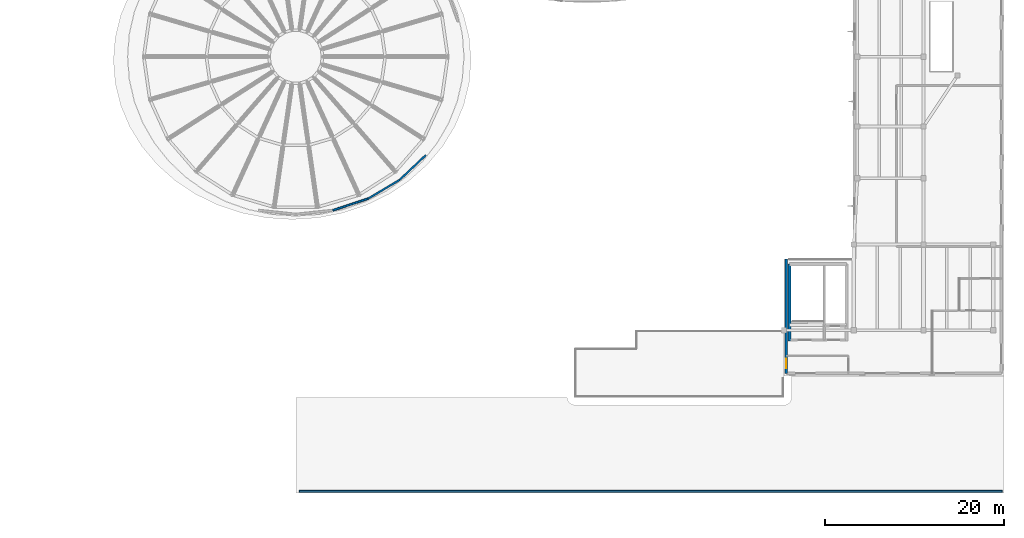
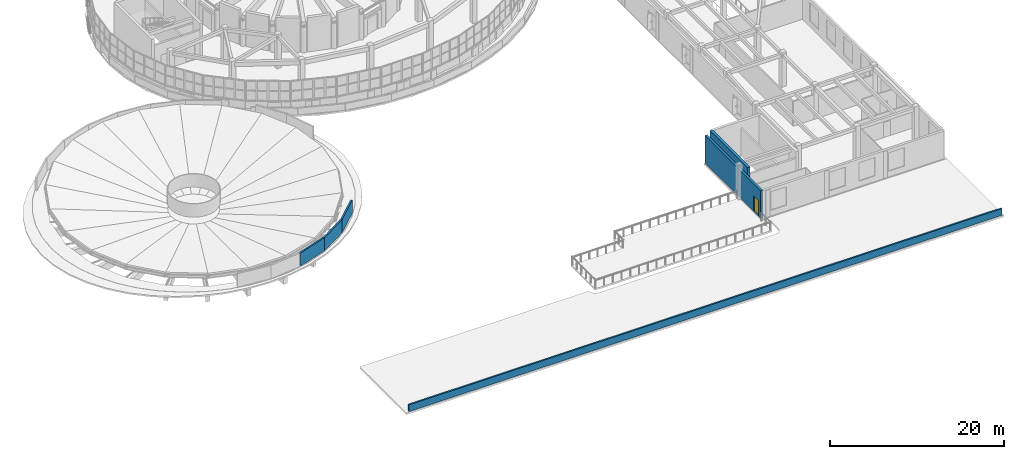
# One storey, part 56 of 69: 6 walls, 1 door, 1 opening.
"""IFC4 building model written with IfcOpenShell, lengths in metres."""

import ifcopenshell
import ifcopenshell.guid

model = None  # the IFC model being written
_history = None  # IfcOwnerHistory: only IFC2X3 demands one
_inside = {}  # id of a spatial element -> (the spatial element, [elements in it])
_under = {}  # id of a project, library or spatial element -> (it, [spatial elements below it])
_declared = {}  # id of a project -> (the project, [libraries it declares])
_typed = {}  # id of a type object -> (the type object, [elements of that type])
_made_of = {}  # id of a material, layer set ... -> (it, [elements and type objects made of it])


def new_model(schema):
    """Start an empty IFC model of exactly this schema.

    Asked for "IFC4X3", IfcOpenShell would pick the latest addendum, in which some entities
    have other attributes; the version numbers below select the first issue.
    IFC2X3 requires an IfcOwnerHistory on every rooted entity: one is made here for all.
    """
    global model, _history
    if schema == "IFC4X3":
        model = ifcopenshell.file(schema_version=(4, 3, 0, 0))
    else:
        model = ifcopenshell.file(schema=schema)
    _inside.clear()
    _under.clear()
    _declared.clear()
    _typed.clear()
    _made_of.clear()
    _history = None
    if model.schema == "IFC2X3":
        org = make("IfcOrganization", Name="unknown")
        user = make(
            "IfcPersonAndOrganization",
            ThePerson=make("IfcPerson", FamilyName="unknown"),
            TheOrganization=org,
        )
        app = make(
            "IfcApplication",
            ApplicationDeveloper=org,
            Version="unknown",
            ApplicationFullName="unknown",
            ApplicationIdentifier="unknown",
        )
        _history = make(
            "IfcOwnerHistory",
            OwningUser=user,
            OwningApplication=app,
            ChangeAction="ADDED",
            CreationDate=0,
        )
    return model


def make(cls, **values):
    """One entity of the class cls with the attributes given. An attribute that is None is left unset."""
    return model.create_entity(
        cls, **{name: value for name, value in values.items() if value is not None}
    )


def rooted(cls, **values):
    """An entity with a GlobalId (a new one), such as an element, a storey or a relation."""
    return make(cls, GlobalId=ifcopenshell.guid.new(), OwnerHistory=_history, **values)


def si_unit(unit_type, name, prefix=None):
    """IfcSIUnit, for example si_unit("LENGTHUNIT", "METRE", prefix="MILLI")."""
    return make("IfcSIUnit", UnitType=unit_type, Prefix=prefix, Name=name)


def assignment(units):
    """IfcUnitAssignment: the units of a project."""
    return None if units is None else make("IfcUnitAssignment", Units=units)


def point(xyz):
    """IfcCartesianPoint."""
    return None if xyz is None else make("IfcCartesianPoint", Coordinates=xyz)


def direction(xyz):
    """IfcDirection."""
    return None if xyz is None else make("IfcDirection", DirectionRatios=xyz)


def frame(location, z_axis=None, x_axis=None):
    """IfcAxis2Placement3D, a coordinate frame: its origin and axes. An axis left out is left unset."""
    return make(
        "IfcAxis2Placement3D",
        Location=point(location),
        Axis=direction(z_axis),
        RefDirection=direction(x_axis),
    )


def frame_2d(location, x_axis=None):
    """IfcAxis2Placement2D, a coordinate frame in the plane: its origin and x axis."""
    return make(
        "IfcAxis2Placement2D", Location=point(location), RefDirection=direction(x_axis)
    )


def origin():
    """The frame at (0, 0, 0) with its axes left unset."""
    return frame((0.0, 0.0, 0.0))


def place(relative_to, where):
    """IfcLocalPlacement: puts the frame where relative to a parent placement (None: the world)."""
    return make(
        "IfcLocalPlacement", PlacementRelTo=relative_to, RelativePlacement=where
    )


def context(
    kind, dimensions, precision=None, world=None, true_north=None, identifier=None
):
    """IfcGeometricRepresentationContext, for example the 3D "Model" context."""
    return make(
        "IfcGeometricRepresentationContext",
        ContextIdentifier=identifier,
        ContextType=kind,
        CoordinateSpaceDimension=dimensions,
        Precision=precision,
        WorldCoordinateSystem=world,
        TrueNorth=true_north,
    )


def subcontext(parent, identifier, kind, view, scale=None):
    """IfcGeometricRepresentationSubContext, for example "Body" below "Model"."""
    return make(
        "IfcGeometricRepresentationSubContext",
        ContextIdentifier=identifier,
        ContextType=kind,
        ParentContext=parent,
        TargetScale=scale,
        TargetView=view,
    )


def project(units=None, contexts=None):
    """IfcProject with its units and contexts."""
    return rooted(
        "IfcProject",
        Name="project",
        RepresentationContexts=contexts,
        UnitsInContext=assignment(units),
    )


def spatial(cls, under=None, at=None, **own):
    """A site, building, storey or space (cls), placed at a placement, below another one or the project."""
    s = rooted(cls, ObjectPlacement=at, **own)
    if under is not None:
        _under.setdefault(under.id(), (under, []))[1].append(s)
    return s


def profile(cls, at=None, kind="AREA", **sizes):
    """A parametric profile (cls). Its sizes go by their IFC names, for example OverallWidth=200.0."""
    return make(cls, ProfileType=kind, Position=at, **sizes)


def rectangle(**sizes):
    """IfcRectangleProfileDef."""
    return profile("IfcRectangleProfileDef", **sizes)


def extrude(swept, where, along, depth):
    """IfcExtrudedAreaSolid: the profile swept, set in the frame where, extruded along a direction by depth."""
    return make(
        "IfcExtrudedAreaSolid",
        SweptArea=swept,
        Position=where,
        ExtrudedDirection=direction(along),
        Depth=depth,
    )


def shape(context_of_items, identifier, shape_type, items):
    """IfcShapeRepresentation: the items that make up one representation, for example the "Body"."""
    return make(
        "IfcShapeRepresentation",
        ContextOfItems=context_of_items,
        RepresentationIdentifier=identifier,
        RepresentationType=shape_type,
        Items=items,
    )


def material(Name=None, Category=None):
    """IfcMaterial."""
    return make("IfcMaterial", Name=Name, Category=Category)


def layer(
    of_material, thickness, ventilated=None, Name=None, Category=None, Priority=None
):
    """IfcMaterialLayer: one layer of a wall or slab, of a material (None: an air gap)."""
    return make(
        "IfcMaterialLayer",
        Material=of_material,
        LayerThickness=thickness,
        IsVentilated=ventilated,
        Name=Name,
        Category=Category,
        Priority=Priority,
    )


def layer_set(layers, Name=None):
    """IfcMaterialLayerSet."""
    return make("IfcMaterialLayerSet", MaterialLayers=layers, LayerSetName=Name)


def made_of(thing, what):
    """Note that an element or type object is made of a material, layer set ...; save() writes the relation."""
    if what is not None:
        _made_of.setdefault(what.id(), (what, []))[1].append(thing)
    return thing


def type_object(cls, material=None, **own):
    """A type object (cls), such as IfcWallType, which elements share."""
    return made_of(rooted(cls, **own), material)


def element(
    cls,
    number,
    at=None,
    inside=None,
    cuts=None,
    type_object=None,
    material=None,
    context=None,
    identifier="Body",
    shape_type=None,
    held_by="IfcProductDefinitionShape",
    body=None,
    shapes=None,
    **own,
):
    """One element of the class cls, such as IfcWall. Its Tag is "e" and its number.

    at: its placement. inside: the storey or other place that contains it. cuts: it is an
    opening in that element (IfcRelVoidsElement). A single representation is given by context,
    identifier, shape_type and body (its items); several are given by shapes. held_by: the class
    of the entity that holds the representations. save() writes the other relations.
    """
    e = rooted(cls, Tag="e%d" % number, ObjectPlacement=at, **own)
    if body is not None:
        shapes = [shape(context, identifier, shape_type, body)]
    if shapes is not None:
        e.Representation = make(held_by, Representations=shapes)
    if inside is not None:
        _inside.setdefault(inside.id(), (inside, []))[1].append(e)
    if cuts is not None:
        rooted(
            "IfcRelVoidsElement", RelatingBuildingElement=cuts, RelatedOpeningElement=e
        )
    if type_object is not None:
        _typed.setdefault(type_object.id(), (type_object, []))[1].append(e)
    return made_of(e, material)


def fill(opening, filler):
    """IfcRelFillsElement: the door or window that sits in an opening."""
    return rooted(
        "IfcRelFillsElement",
        RelatingOpeningElement=opening,
        RelatedBuildingElement=filler,
    )


def aggregate(whole, parts):
    """IfcRelAggregates: a whole, such as a stair, and the parts it consists of."""
    return rooted("IfcRelAggregates", RelatingObject=whole, RelatedObjects=parts)


def save(model, path):
    """Write the relations noted so far, then the file.

    IfcRelAggregates (storeys below a building ...), IfcRelContainedInSpatialStructure (elements
    in a storey), IfcRelDefinesByType, IfcRelAssociatesMaterial and IfcRelDeclares: one each for
    every whole, place, type object, material and project.
    """
    for whole, parts in _under.values():
        aggregate(whole, parts)
    for where, things in _inside.values():
        rooted(
            "IfcRelContainedInSpatialStructure",
            RelatedElements=things,
            RelatingStructure=where,
        )
    for kind, things in _typed.values():
        rooted("IfcRelDefinesByType", RelatedObjects=things, RelatingType=kind)
    for what, things in _made_of.values():
        rooted("IfcRelAssociatesMaterial", RelatedObjects=things, RelatingMaterial=what)
    for by, libraries in _declared.values():
        rooted("IfcRelDeclares", RelatingContext=by, RelatedDefinitions=libraries)
    model.write(path)


model = new_model("IFC4")

# Units and contexts
model_context = context("Model", 3, precision=1e-05, world=origin(), true_north=direction((0.0, 1.0)))
body_context = subcontext(model_context, "Body", "Model", "MODEL_VIEW")
ifc_project = project(units=[si_unit("LENGTHUNIT", "METRE"), si_unit("AREAUNIT", "SQUARE_METRE"), si_unit("VOLUMEUNIT", "CUBIC_METRE"), si_unit("PLANEANGLEUNIT", "RADIAN"), si_unit("MASSUNIT", "GRAM", prefix="KILO")], contexts=[model_context])

# Site, building, storey
site_placement = place(None, origin())
site = spatial("IfcSite", under=ifc_project, at=site_placement, CompositionType="ELEMENT")
building_placement = place(site_placement, origin())
building = spatial("IfcBuilding", under=site, at=building_placement, Name="Pelvatis Terrace Science Centre", CompositionType="ELEMENT")
storey_placement = place(building_placement, frame((0.0, 0.0, 15.0)))
storey = spatial("IfcBuildingStorey", under=building, at=storey_placement, Name="L03", CompositionType="ELEMENT", Elevation=15.0)

# Wall, opening, door
ifc_material_1 = material(Name="Precast concrete C35/45 architectural stone", Category="masonry")
ifc_layer_1 = layer(ifc_material_1, 0.31005859375)
ifc_layer_set_1 = layer_set([ifc_layer_1], Name="Precast concrete C35/45 architectural stone")
wall_type_1 = type_object("IfcWallType", Name="WL-EXT-PREC-310", PredefinedType="SOLIDWALL", material=ifc_layer_set_1)
wall_1_placement = place(storey_placement, frame((132.85009765625, 19.199951171875, 0.0), z_axis=(0.0, 0.0, 1.0), x_axis=(0.0, 1.0, 0.0)))
wall_1 = element("IfcWall", 1, at=wall_1_placement, inside=storey, type_object=wall_type_1, Name="Exterior classical Art Deco facade wall EW-L03-TWALL", PredefinedType="SOLIDWALL", context=body_context, shape_type="SweptSolid", body=[
    extrude(rectangle(XDim=12.800048828125, YDim=0.31005859375, at=frame_2d((6.39990234375, 0.0))), origin(), (0.0, 0.0, 1.0), 3.8701171875),
])
opening_placement = place(wall_1_placement, frame((0.550048828125, 0.0, 0.0)))
opening = element("IfcOpeningElement", 2, at=opening_placement, cuts=wall_1, Name="Opening D-301", PredefinedType="OPENING", context=body_context, shape_type="SweptSolid", body=[
    extrude(rectangle(XDim=1.10009765625, YDim=2.199951171875, at=frame_2d((0.550048828125, 1.10009765625))), frame((0.0, 0.1650390625, 0.0), z_axis=(0.0, -1.0, 0.0), x_axis=(1.0, 0.0, 0.0)), (0.0, 0.0, 1.0), 0.330078125),
])
ifc_material_2 = material(Name="Thermally broken bronze single terrace door", Category="glass")
door_type = type_object("IfcDoorType", Name="DR-TER-1100x2200", OperationType="NOTDEFINED", PredefinedType="DOOR", material=ifc_material_2)
door_placement = place(opening_placement, origin())
door = element("IfcDoor", 3, at=door_placement, inside=storey, type_object=door_type, Name="L03 South spiral terrace access door", OperationType="SINGLE_SWING_LEFT", OverallHeight=2.199951171875, OverallWidth=1.10009765625, PredefinedType="DOOR", context=body_context, shape_type="SweptSolid", body=[
    extrude(rectangle(XDim=1.10009765625, YDim=2.199951171875, at=frame_2d((0.550048828125, 1.10009765625))), frame((0.0, 0.02490234375, 0.0), z_axis=(0.0, -1.0, 0.0), x_axis=(1.0, 0.0, 0.0)), (0.0, 0.0, 1.0), 0.050048828125),
])
fill(opening, door)

# Walls
ifc_material_3 = material(Name="White architectural precast concrete C40/50 spandrel parapet", Category="concrete")
ifc_layer_2 = layer(ifc_material_3, 0.205078125)
ifc_layer_set_2 = layer_set([ifc_layer_2], Name="White architectural precast concrete C40/50 spandrel parapet")
wall_type_2 = type_object("IfcWallType", Name="WL-PAR-205", PredefinedType="PARAPET", material=ifc_layer_set_2)
wall_2_placement = place(storey_placement, frame((82.143310546875, 37.421875, 0.0), z_axis=(0.0, 0.0, 1.0), x_axis=(0.949323255645, 0.314301378125, 0.0)))
element("IfcWall", 4, at=wall_2_placement, inside=storey, type_object=wall_type_2, Name="White spiral ring parapet PW-CRV-L03-072", PredefinedType="PARAPET", context=body_context, shape_type="SweptSolid", body=[
    extrude(rectangle(XDim=4.145751953125, YDim=0.205078125, at=frame_2d((2.07275390625, 0.0))), origin(), (0.0, 0.0, 1.0), 1.85009765625),
])
wall_3_placement = place(storey_placement, frame((86.078857421875, 38.724853515625, 0.0), z_axis=(0.0, 0.0, 1.0), x_axis=(0.859521068459, 0.511100315862, 0.0)))
element("IfcWall", 5, at=wall_3_placement, inside=storey, type_object=wall_type_2, Name="White spiral ring parapet PW-CRV-L03-073", PredefinedType="PARAPET", context=body_context, shape_type="SweptSolid", body=[
    extrude(rectangle(XDim=4.107421875, YDim=0.205078125, at=frame_2d((2.0537109375, 0.0))), origin(), (0.0, 0.0, 1.0), 1.85009765625),
])
wall_4_placement = place(storey_placement, frame((89.609375, 40.82421875, 0.0), z_axis=(0.0, 0.0, 1.0), x_axis=(0.726355599385, 0.687319098557, 0.0)))
element("IfcWall", 6, at=wall_4_placement, inside=storey, type_object=wall_type_2, Name="White spiral ring parapet PW-CRV-L03-074", PredefinedType="PARAPET", context=body_context, shape_type="SweptSolid", body=[
    extrude(rectangle(XDim=4.058837890625, YDim=0.205078125, at=frame_2d((2.029296875, 0.0))), origin(), (0.0, 0.0, 1.0), 1.85009765625),
])
wall_5_placement = place(storey_placement, frame((78.39990234375, 6.0, 0.0), z_axis=(0.0, 0.0, 1.0), x_axis=(1.0, 0.0, 0.0)))
element("IfcWall", 7, at=wall_5_placement, inside=storey, type_object=wall_type_2, Name="Classical cornice parapet PW-L03-1", PredefinedType="PARAPET", context=body_context, shape_type="SweptSolid", body=[
    extrude(rectangle(XDim=78.60009765625, YDim=0.205078125, at=frame_2d((39.300048828125, 0.0))), origin(), (0.0, 0.0, 1.0), 0.949951171875),
])
ifc_material_4 = material(Name="Concrete C40/50", Category="concrete")
ifc_layer_3 = layer(ifc_material_4, 0.35009765625)
ifc_layer_set_3 = layer_set([ifc_layer_3], Name="Concrete C40/50")
wall_type_3 = type_object("IfcWallType", Name="WL-SHR-350", PredefinedType="SHEAR", material=ifc_layer_set_3)
wall_6_placement = place(storey_placement, frame((133.199951171875, 22.800048828125, 0.0), z_axis=(0.0, 0.0, 1.0), x_axis=(0.0, 1.0, 0.0)))
element("IfcWall", 8, at=wall_6_placement, inside=storey, type_object=wall_type_3, Name="Core C4 shear wall W (L03)", PredefinedType="SHEAR", context=body_context, shape_type="SweptSolid", body=[
    extrude(rectangle(XDim=8.599853515625, YDim=0.35009765625, at=frame_2d((4.2998046875, 0.0))), origin(), (0.0, 0.0, 1.0), 4.800048828125),
])

save(model, "model.ifc")
